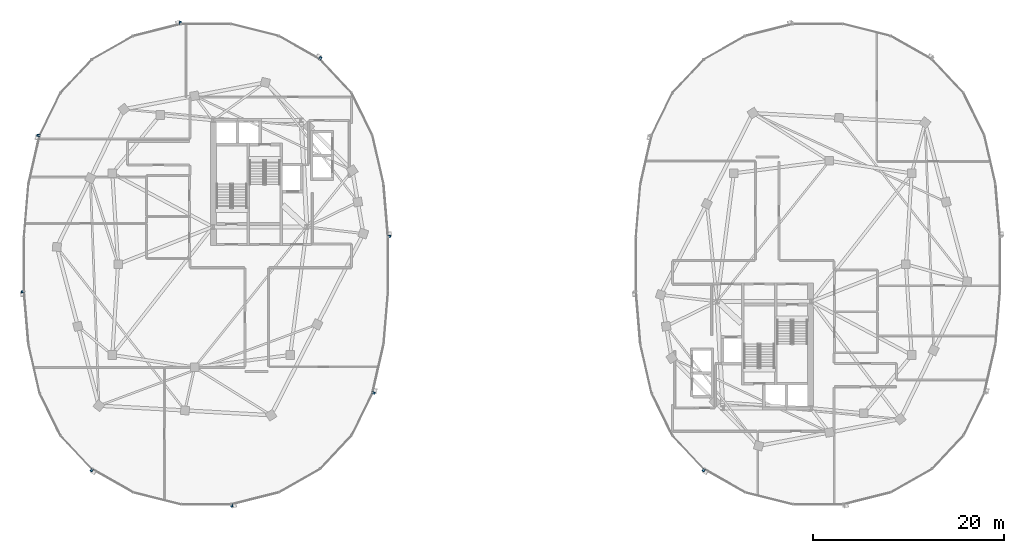
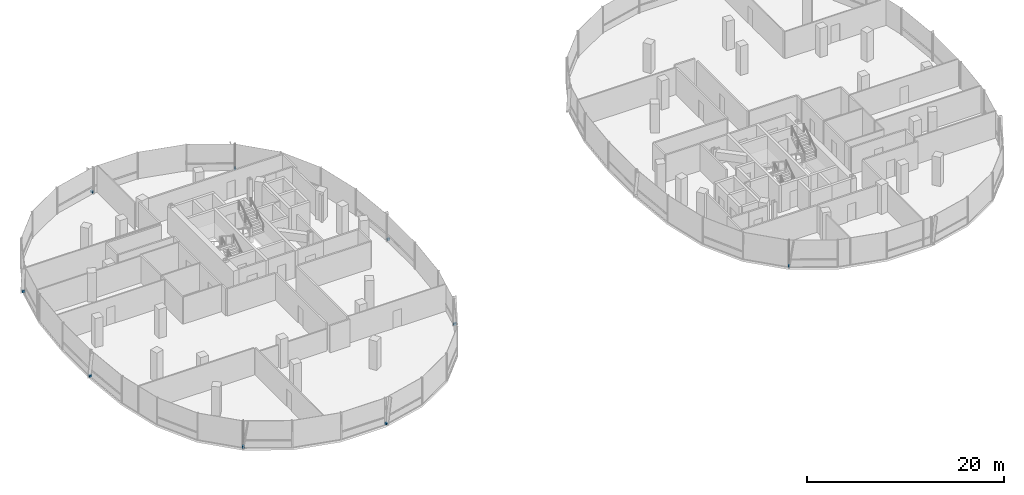
# One storey, part 19 of 25: 9 discrete accessories.
"""IFC4 building model written with IfcOpenShell, lengths in metres."""

from ifc_helpers import new_model, si_unit, direction, frame, origin, origin_2d, place, context, subcontext, project, spatial, rectangle, extrude, material, type_object, element, save


model = new_model("IFC4")

# Units and contexts
model_context = context("Model", 3, precision=1e-05, world=origin(), true_north=direction((0.0, 1.0)))
body_context = subcontext(model_context, "Body", "Model", "MODEL_VIEW")
ifc_project = project(units=[si_unit("LENGTHUNIT", "METRE"), si_unit("AREAUNIT", "SQUARE_METRE"), si_unit("VOLUMEUNIT", "CUBIC_METRE"), si_unit("PLANEANGLEUNIT", "RADIAN"), si_unit("MASSUNIT", "GRAM", prefix="KILO"), si_unit("THERMODYNAMICTEMPERATUREUNIT", "KELVIN"), si_unit("POWERUNIT", "WATT")], contexts=[model_context])

# Site, building, storey
site_placement = place(None, origin())
site = spatial("IfcSite", under=ifc_project, at=site_placement, CompositionType="ELEMENT")
building_placement = place(site_placement, origin())
building = spatial("IfcBuilding", under=site, at=building_placement, Name="Cundina Bronze Exchange", CompositionType="ELEMENT")
storey_placement = place(building_placement, frame((0.0, 0.0, 213.39990234375)))
storey = spatial("IfcBuildingStorey", under=building, at=storey_placement, Name="L56", CompositionType="ELEMENT", Elevation=213.39990234375)

# Discrete accessories
ifc_material = material(Name="Anodised Bronze Aluminium 6063-T6", Category="aluminium")
discrete_accessory_type = type_object("IfcDiscreteAccessoryType", Name="ACC-BRK-FIN", PredefinedType="BRACKET", material=ifc_material)
for number, where, z_axis, x_axis, name in (
    (1, (-12.84521484375, 2.893798828125, 0.10009765625), (0.0, 0.0, 1.0), (-0.083747411454, 0.996487015006, 0.0), "L56 Fin Support Bracket 1"),
    (2, (-20.038818359375, 21.539794921875, 0.10009765625), (0.0, 0.0, 1.0), (-0.869572506985, 0.493805280547, 0.0), "L56 Fin Support Bracket 5"),
    (3, (-34.678955078125, 25.23779296875, 0.10009765625), (0.0, 0.0, 1.0), (-0.969731542251, -0.244173577528, 0.0), "L56 Fin Support Bracket 1"),
    (4, (-49.529541015625, 13.468505859375, 0.10009765625), (0.0, 0.0, 1.0), (-0.223284141459, -0.974753400698, 0.0), "L56 Fin Support Bracket 5"),
    (5, (-51.15478515625, -2.893798828125, 0.10009765625), (0.0, 0.0, 1.0), (0.083747411454, -0.996487015006, 0.0), "L56 Fin Support Bracket 1"),
    (6, (-43.961181640625, -21.539794921875, 0.10009765625), (0.0, 0.0, 1.0), (0.869572506985, -0.493805280547, 0.0), "L56 Fin Support Bracket 5"),
    (7, (-29.321044921875, -25.23779296875, 0.10009765625), (0.0, 0.0, 1.0), (0.969731542251, 0.244173577528, 0.0), "L56 Fin Support Bracket 1"),
    (8, (-14.470458984375, -13.468505859375, 0.10009765625), (0.0, 0.0, 1.0), (0.223284141459, 0.974753400698, 0.0), "L56 Fin Support Bracket 5"),
    (9, (20.038818359375, -21.539794921875, 0.10009765625), (0.0, 0.0, 1.0), (0.869572506985, -0.493805280547, 0.0), "L56 Fin Support Bracket 5"),
):
    element("IfcDiscreteAccessory", number, at=place(storey_placement, frame(where, z_axis=z_axis, x_axis=x_axis)), inside=storey, type_object=discrete_accessory_type, Name=name, PredefinedType="BRACKET", context=body_context, shape_type="SweptSolid", body=[
        extrude(rectangle(XDim=0.219970703125, YDim=0.320068359375, at=origin_2d()), origin(), (0.0, 0.0, 1.0), 0.239990234375),
    ])

save(model, "model.ifc")
